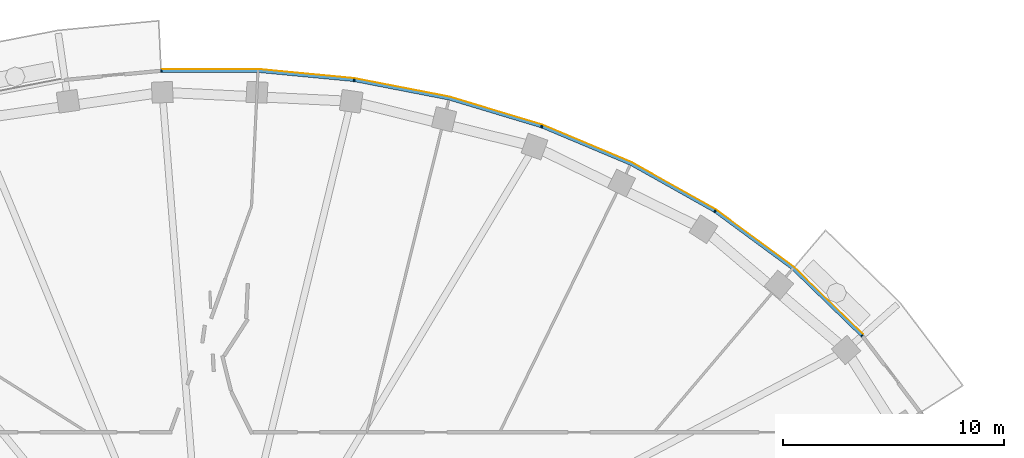
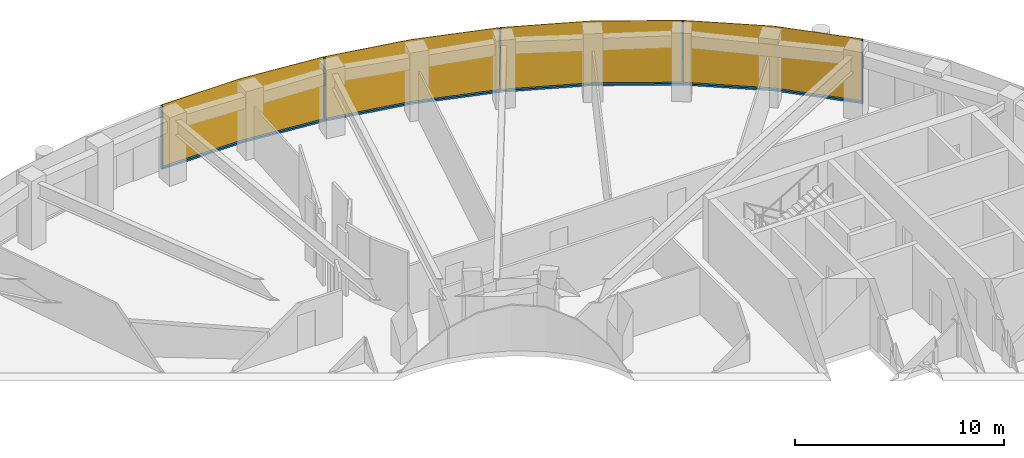
# One storey, part 13 of 16: 9 members, 1 curtain wall.
"""IFC4 building model written with IfcOpenShell, lengths in metres."""

from ifc_helpers import new_model, si_unit, direction, frame, origin, origin_2d, place, context, subcontext, project, spatial, polyline, rectangle, outline, extrude, material, layer, layer_set, material_profile, profile_set, type_object, element, aggregate, save


model = new_model("IFC4")

# Units and contexts
model_context = context("Model", 3, precision=1e-05, world=origin(), true_north=direction((0.0, 1.0)))
body_context = subcontext(model_context, "Body", "Model", "MODEL_VIEW")
ifc_project = project(units=[si_unit("LENGTHUNIT", "METRE"), si_unit("AREAUNIT", "SQUARE_METRE"), si_unit("VOLUMEUNIT", "CUBIC_METRE"), si_unit("PLANEANGLEUNIT", "RADIAN"), si_unit("MASSUNIT", "GRAM", prefix="KILO")], contexts=[model_context])

# Member
ifc_material_1 = material(Name="Aluminium 6063-T6 black anodised", Category="aluminium")
ifc_material_profile = material_profile(ifc_material_1, rectangle(XDim=0.1201171875, YDim=0.06005859375, at=origin_2d()), Name="120x60")
ifc_profile_set = profile_set([ifc_material_profile], Name="Aluminium 6063-T6 black anodised")
member_type_1 = type_object("IfcMemberType", Name="ENV-MULLION-A-120", PredefinedType="MULLION", material=ifc_profile_set)
site_placement = place(None, origin())
building_placement = place(site_placement, origin())
storey_placement = place(building_placement, frame((0.0, 0.0, 311.0)))
member_1_placement = place(storey_placement, frame((29.53857421875, 15.8671875, 0.0), z_axis=(0.0, 0.0, 1.0), x_axis=(-0.749047221705, -0.662516610853, 0.0)))
member_1 = element("IfcMember", 1, at=member_1_placement, type_object=member_type_1, Name="Mullion A radial 05", PredefinedType="MULLION", context=body_context, shape_type="SweptSolid", body=[
    extrude(rectangle(XDim=0.1201171875, YDim=0.06005859375, at=origin_2d()), origin(), (0.0, 0.0, 1.0), 3.699951171875),
])

member_2_placement = place(storey_placement, frame((22.882568359375, 21.506591796875, 0.0), z_axis=(0.0, 0.0, 1.0), x_axis=(-0.542279153225, -0.840198381323, 0.0)))
member_2 = element("IfcMember", 2, at=member_2_placement, type_object=member_type_1, Name="Mullion A radial 07", PredefinedType="MULLION", context=body_context, shape_type="SweptSolid", body=[
    extrude(rectangle(XDim=0.1201171875, YDim=0.06005859375, at=origin_2d()), origin(), (0.0, 0.0, 1.0), 3.699951171875),
])

member_3_placement = place(storey_placement, frame((15.0341796875, 25.34375, 0.0), z_axis=(0.0, 0.0, 1.0), x_axis=(-0.338379256581, -0.941009818608, 0.0)))
member_3 = element("IfcMember", 3, at=member_3_placement, type_object=member_type_1, Name="Mullion A radial 09", PredefinedType="MULLION", context=body_context, shape_type="SweptSolid", body=[
    extrude(rectangle(XDim=0.1201171875, YDim=0.06005859375, at=origin_2d()), origin(), (0.0, 0.0, 1.0), 3.699951171875),
])

member_4_placement = place(storey_placement, frame((6.54638671875, 27.440185546875, 0.0), z_axis=(0.0, 0.0, 1.0), x_axis=(-0.143082012705, -0.989710835366, 0.0)))
member_4 = element("IfcMember", 4, at=member_4_placement, type_object=member_type_1, Name="Mullion A radial 11", PredefinedType="MULLION", context=body_context, shape_type="SweptSolid", body=[
    extrude(rectangle(XDim=0.1201171875, YDim=0.06005859375, at=origin_2d()), origin(), (0.0, 0.0, 1.0), 3.699951171875),
])

member_5_placement = place(storey_placement, frame((-2.188720703125, 27.856201171875, 0.0), z_axis=(0.0, 0.0, 1.0), x_axis=(0.047557873581, -0.998868484166, 0.0)))
member_5 = element("IfcMember", 5, at=member_5_placement, type_object=member_type_1, Name="Mullion A radial 13", PredefinedType="MULLION", context=body_context, shape_type="SweptSolid", body=[
    extrude(rectangle(XDim=0.1201171875, YDim=0.06005859375, at=origin_2d()), origin(), (0.0, 0.0, 1.0), 3.699951171875),
])

ifc_material_2 = material(Name="Aluminium 6063-T6 black anodised", Category="aluminium")
member_type_2 = type_object("IfcMemberType", Name="ENV-TRANSOM-A", PredefinedType="USERDEFINED", material=ifc_material_2)
member_6_placement = place(storey_placement, origin())
member_6 = element("IfcMember", 6, at=member_6_placement, type_object=member_type_2, Name="Transom A radial 05-07", ObjectType="TRANSOM", PredefinedType="USERDEFINED", context=body_context, shape_type="SweptSolid", body=[
    extrude(outline(polyline([(29.5634765625, 15.926513671875), (26.4423828125, 18.958740234375), (22.937744140625, 21.540283203125), (22.87255859375, 21.439208984375), (26.364501953125, 18.866943359375), (29.473388671875, 15.8466796875), (29.5634765625, 15.926513671875)])), origin(), (0.0, 0.0, 1.0), 0.10009765625),
])

member_7_placement = place(storey_placement, origin())
member_7 = element("IfcMember", 7, at=member_7_placement, type_object=member_type_2, Name="Transom A radial 07-09", ObjectType="TRANSOM", PredefinedType="USERDEFINED", context=body_context, shape_type="SweptSolid", body=[
    extrude(outline(polyline([(22.890625, 21.570556640625), (19.093994140625, 23.701416015625), (15.080322265625, 25.389404296875), (15.03955078125, 25.276123046875), (19.041259765625, 23.593505859375), (22.825439453125, 21.469482421875), (22.890625, 21.570556640625)])), origin(), (0.0, 0.0, 1.0), 0.10009765625),
])

member_8_placement = place(storey_placement, origin())
member_8 = element("IfcMember", 8, at=member_8_placement, type_object=member_type_2, Name="Transom A radial 09-11", ObjectType="TRANSOM", PredefinedType="USERDEFINED", context=body_context, shape_type="SweptSolid", body=[
    extrude(outline(polyline([(15.027587890625, 25.408203125), (10.857666015625, 26.6630859375), (6.58251953125, 27.494140625), (6.5654296875, 27.375244140625), (10.828857421875, 26.54638671875), (14.987060546875, 25.295166015625), (15.027587890625, 25.408203125)])), origin(), (0.0, 0.0, 1.0), 0.10009765625),
])

member_9_placement = place(storey_placement, origin())
member_9 = element("IfcMember", 9, at=member_9_placement, type_object=member_type_2, Name="Transom A radial 11-13", ObjectType="TRANSOM", PredefinedType="USERDEFINED", context=body_context, shape_type="SweptSolid", body=[
    extrude(outline(polyline([(6.527099609375, 27.502197265625), (2.191650390625, 27.916015625), (-2.163818359375, 27.916015625), (-2.157958984375, 27.7958984375), (2.185791015625, 27.7958984375), (6.510009765625, 27.38330078125), (6.527099609375, 27.502197265625)])), origin(), (0.0, 0.0, 1.0), 0.10009765625),
])

# Site, building, storey
site = spatial("IfcSite", under=ifc_project, at=site_placement, CompositionType="ELEMENT")
building = spatial("IfcBuilding", under=site, at=building_placement, Name="Noorbagh Ring Tower", CompositionType="ELEMENT")
storey = spatial("IfcBuildingStorey", under=building, at=storey_placement, Name="L67", CompositionType="ELEMENT", Elevation=311.0)

# Curtain wall
ifc_material_3 = material(Name="Glass dark tinted laminated", Category="glass")
ifc_layer = layer(ifc_material_3, 0.031982421875)
ifc_layer_set = layer_set([ifc_layer], Name="Glass dark tinted laminated")
curtain_wall_type = type_object("IfcCurtainWallType", Name="ENV-CW-A", PredefinedType="NOTDEFINED", material=ifc_layer_set)
curtain_wall_placement = place(storey_placement, origin())
curtain_wall = element("IfcCurtainWall", 10, at=curtain_wall_placement, inside=storey, type_object=curtain_wall_type, Name="Curtain wall A R05", PredefinedType="NOTDEFINED", context=body_context, shape_type="SweptSolid", body=[
    extrude(outline(polyline([(29.59326171875, 15.942138671875), (26.463134765625, 18.9833984375), (22.9326171875, 21.583740234375), (19.108154296875, 23.730224609375), (15.065185546875, 25.430419921875), (10.865234375, 26.6943359375), (6.559814453125, 27.53125), (2.193115234375, 27.947998046875), (-2.173095703125, 27.947998046875), (-2.171630859375, 27.916015625), (2.191650390625, 27.916015625), (6.55517578125, 27.49951171875), (10.857666015625, 26.6630859375), (15.054443359375, 25.400146484375), (19.093994140625, 23.701416015625), (22.9150390625, 21.556884765625), (26.4423828125, 18.958740234375), (29.569091796875, 15.9208984375), (29.59326171875, 15.942138671875)])), origin(), (0.0, 0.0, 1.0), 3.699951171875),
])

aggregate(curtain_wall, [member_1, member_2, member_3, member_4, member_5, member_6, member_7, member_8, member_9])

save(model, "model.ifc")
